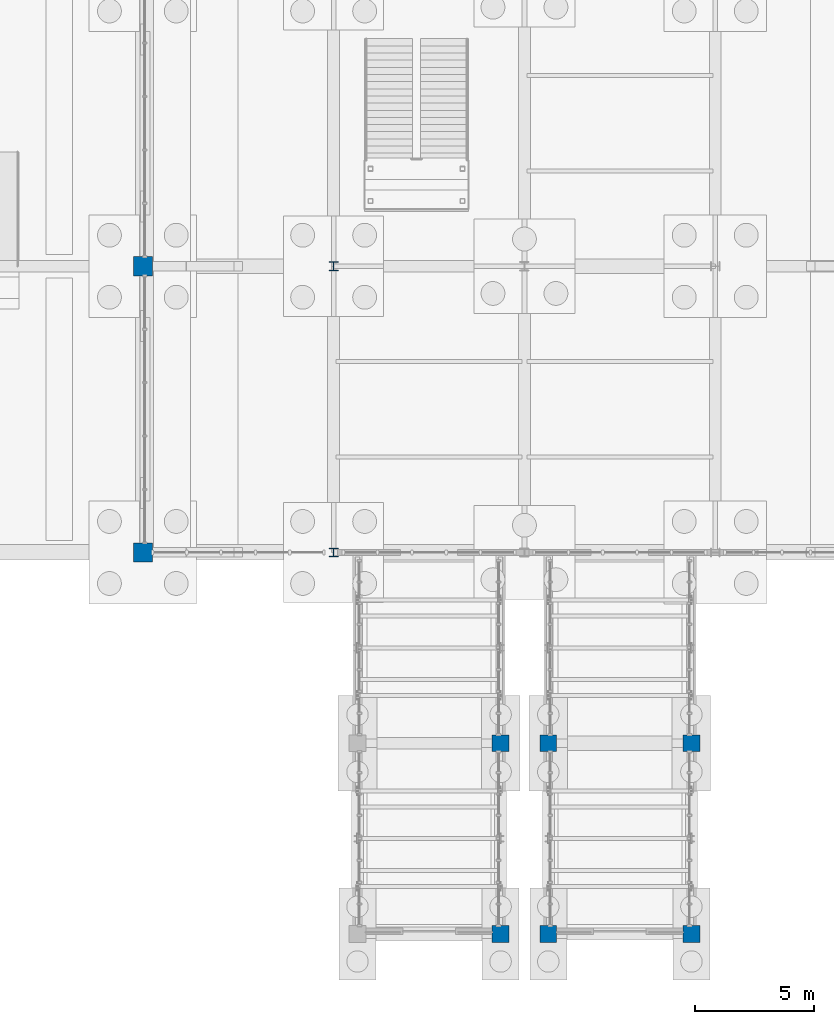
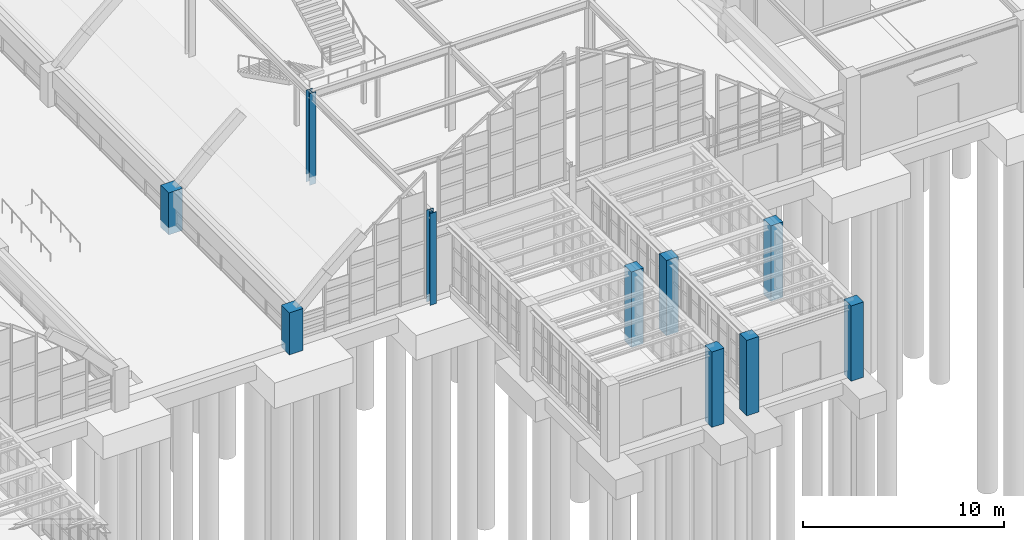
# One storey, part 13 of 129: 10 columns.
"""IFC4 building model written with IfcOpenShell, lengths in metres."""

import ifcopenshell
import ifcopenshell.guid

model = None  # the IFC model being written
_history = None  # IfcOwnerHistory: only IFC2X3 demands one
_inside = {}  # id of a spatial element -> (the spatial element, [elements in it])
_under = {}  # id of a project, library or spatial element -> (it, [spatial elements below it])
_declared = {}  # id of a project -> (the project, [libraries it declares])
_typed = {}  # id of a type object -> (the type object, [elements of that type])
_made_of = {}  # id of a material, layer set ... -> (it, [elements and type objects made of it])


def new_model(schema):
    """Start an empty IFC model of exactly this schema.

    Asked for "IFC4X3", IfcOpenShell would pick the latest addendum, in which some entities
    have other attributes; the version numbers below select the first issue.
    IFC2X3 requires an IfcOwnerHistory on every rooted entity: one is made here for all.
    """
    global model, _history
    if schema == "IFC4X3":
        model = ifcopenshell.file(schema_version=(4, 3, 0, 0))
    else:
        model = ifcopenshell.file(schema=schema)
    _inside.clear()
    _under.clear()
    _declared.clear()
    _typed.clear()
    _made_of.clear()
    _history = None
    if model.schema == "IFC2X3":
        org = make("IfcOrganization", Name="unknown")
        user = make(
            "IfcPersonAndOrganization",
            ThePerson=make("IfcPerson", FamilyName="unknown"),
            TheOrganization=org,
        )
        app = make(
            "IfcApplication",
            ApplicationDeveloper=org,
            Version="unknown",
            ApplicationFullName="unknown",
            ApplicationIdentifier="unknown",
        )
        _history = make(
            "IfcOwnerHistory",
            OwningUser=user,
            OwningApplication=app,
            ChangeAction="ADDED",
            CreationDate=0,
        )
    return model


def make(cls, **values):
    """One entity of the class cls with the attributes given. An attribute that is None is left unset."""
    return model.create_entity(
        cls, **{name: value for name, value in values.items() if value is not None}
    )


def rooted(cls, **values):
    """An entity with a GlobalId (a new one), such as an element, a storey or a relation."""
    return make(cls, GlobalId=ifcopenshell.guid.new(), OwnerHistory=_history, **values)


def si_unit(unit_type, name, prefix=None):
    """IfcSIUnit, for example si_unit("LENGTHUNIT", "METRE", prefix="MILLI")."""
    return make("IfcSIUnit", UnitType=unit_type, Prefix=prefix, Name=name)


def assignment(units):
    """IfcUnitAssignment: the units of a project."""
    return None if units is None else make("IfcUnitAssignment", Units=units)


def point(xyz):
    """IfcCartesianPoint."""
    return None if xyz is None else make("IfcCartesianPoint", Coordinates=xyz)


def direction(xyz):
    """IfcDirection."""
    return None if xyz is None else make("IfcDirection", DirectionRatios=xyz)


def frame(location, z_axis=None, x_axis=None):
    """IfcAxis2Placement3D, a coordinate frame: its origin and axes. An axis left out is left unset."""
    return make(
        "IfcAxis2Placement3D",
        Location=point(location),
        Axis=direction(z_axis),
        RefDirection=direction(x_axis),
    )


def frame_2d(location, x_axis=None):
    """IfcAxis2Placement2D, a coordinate frame in the plane: its origin and x axis."""
    return make(
        "IfcAxis2Placement2D", Location=point(location), RefDirection=direction(x_axis)
    )


def origin():
    """The frame at (0, 0, 0) with its axes left unset."""
    return frame((0.0, 0.0, 0.0))


def origin_2d():
    """The frame at (0, 0) in the plane with its x axis left unset."""
    return frame_2d((0.0, 0.0))


def place(relative_to, where):
    """IfcLocalPlacement: puts the frame where relative to a parent placement (None: the world)."""
    return make(
        "IfcLocalPlacement", PlacementRelTo=relative_to, RelativePlacement=where
    )


def context(
    kind, dimensions, precision=None, world=None, true_north=None, identifier=None
):
    """IfcGeometricRepresentationContext, for example the 3D "Model" context."""
    return make(
        "IfcGeometricRepresentationContext",
        ContextIdentifier=identifier,
        ContextType=kind,
        CoordinateSpaceDimension=dimensions,
        Precision=precision,
        WorldCoordinateSystem=world,
        TrueNorth=true_north,
    )


def subcontext(parent, identifier, kind, view, scale=None):
    """IfcGeometricRepresentationSubContext, for example "Body" below "Model"."""
    return make(
        "IfcGeometricRepresentationSubContext",
        ContextIdentifier=identifier,
        ContextType=kind,
        ParentContext=parent,
        TargetScale=scale,
        TargetView=view,
    )


def project(units=None, contexts=None):
    """IfcProject with its units and contexts."""
    return rooted(
        "IfcProject",
        Name="project",
        RepresentationContexts=contexts,
        UnitsInContext=assignment(units),
    )


def spatial(cls, under=None, at=None, **own):
    """A site, building, storey or space (cls), placed at a placement, below another one or the project."""
    s = rooted(cls, ObjectPlacement=at, **own)
    if under is not None:
        _under.setdefault(under.id(), (under, []))[1].append(s)
    return s


def profile(cls, at=None, kind="AREA", **sizes):
    """A parametric profile (cls). Its sizes go by their IFC names, for example OverallWidth=200.0."""
    return make(cls, ProfileType=kind, Position=at, **sizes)


def rectangle(**sizes):
    """IfcRectangleProfileDef."""
    return profile("IfcRectangleProfileDef", **sizes)


def i_section(**sizes):
    """IfcIShapeProfileDef."""
    return profile("IfcIShapeProfileDef", **sizes)


def extrude(swept, where, along, depth):
    """IfcExtrudedAreaSolid: the profile swept, set in the frame where, extruded along a direction by depth."""
    return make(
        "IfcExtrudedAreaSolid",
        SweptArea=swept,
        Position=where,
        ExtrudedDirection=direction(along),
        Depth=depth,
    )


def shape(context_of_items, identifier, shape_type, items):
    """IfcShapeRepresentation: the items that make up one representation, for example the "Body"."""
    return make(
        "IfcShapeRepresentation",
        ContextOfItems=context_of_items,
        RepresentationIdentifier=identifier,
        RepresentationType=shape_type,
        Items=items,
    )


def material(Name=None, Category=None):
    """IfcMaterial."""
    return make("IfcMaterial", Name=Name, Category=Category)


def material_profile(
    of_material, cross_section, Name=None, Category=None, Priority=None
):
    """IfcMaterialProfile: a cross section and its material."""
    return make(
        "IfcMaterialProfile",
        Name=Name,
        Material=of_material,
        Profile=cross_section,
        Priority=Priority,
        Category=Category,
    )


def profile_set(profiles, Name=None, composite=None):
    """IfcMaterialProfileSet."""
    return make(
        "IfcMaterialProfileSet",
        Name=Name,
        MaterialProfiles=profiles,
        CompositeProfile=composite,
    )


def made_of(thing, what):
    """Note that an element or type object is made of a material, layer set ...; save() writes the relation."""
    if what is not None:
        _made_of.setdefault(what.id(), (what, []))[1].append(thing)
    return thing


def type_object(cls, material=None, **own):
    """A type object (cls), such as IfcWallType, which elements share."""
    return made_of(rooted(cls, **own), material)


def element(
    cls,
    number,
    at=None,
    inside=None,
    cuts=None,
    type_object=None,
    material=None,
    context=None,
    identifier="Body",
    shape_type=None,
    held_by="IfcProductDefinitionShape",
    body=None,
    shapes=None,
    **own,
):
    """One element of the class cls, such as IfcWall. Its Tag is "e" and its number.

    at: its placement. inside: the storey or other place that contains it. cuts: it is an
    opening in that element (IfcRelVoidsElement). A single representation is given by context,
    identifier, shape_type and body (its items); several are given by shapes. held_by: the class
    of the entity that holds the representations. save() writes the other relations.
    """
    e = rooted(cls, Tag="e%d" % number, ObjectPlacement=at, **own)
    if body is not None:
        shapes = [shape(context, identifier, shape_type, body)]
    if shapes is not None:
        e.Representation = make(held_by, Representations=shapes)
    if inside is not None:
        _inside.setdefault(inside.id(), (inside, []))[1].append(e)
    if cuts is not None:
        rooted(
            "IfcRelVoidsElement", RelatingBuildingElement=cuts, RelatedOpeningElement=e
        )
    if type_object is not None:
        _typed.setdefault(type_object.id(), (type_object, []))[1].append(e)
    return made_of(e, material)


def aggregate(whole, parts):
    """IfcRelAggregates: a whole, such as a stair, and the parts it consists of."""
    return rooted("IfcRelAggregates", RelatingObject=whole, RelatedObjects=parts)


def save(model, path):
    """Write the relations noted so far, then the file.

    IfcRelAggregates (storeys below a building ...), IfcRelContainedInSpatialStructure (elements
    in a storey), IfcRelDefinesByType, IfcRelAssociatesMaterial and IfcRelDeclares: one each for
    every whole, place, type object, material and project.
    """
    for whole, parts in _under.values():
        aggregate(whole, parts)
    for where, things in _inside.values():
        rooted(
            "IfcRelContainedInSpatialStructure",
            RelatedElements=things,
            RelatingStructure=where,
        )
    for kind, things in _typed.values():
        rooted("IfcRelDefinesByType", RelatedObjects=things, RelatingType=kind)
    for what, things in _made_of.values():
        rooted("IfcRelAssociatesMaterial", RelatedObjects=things, RelatingMaterial=what)
    for by, libraries in _declared.values():
        rooted("IfcRelDeclares", RelatingContext=by, RelatedDefinitions=libraries)
    model.write(path)


model = new_model("IFC4")

# Units and contexts
model_context = context("Model", 3, precision=1e-05, world=origin(), true_north=direction((0.0, 1.0)))
body_context = subcontext(model_context, "Body", "Model", "MODEL_VIEW")
ifc_project = project(units=[si_unit("LENGTHUNIT", "METRE"), si_unit("AREAUNIT", "SQUARE_METRE"), si_unit("VOLUMEUNIT", "CUBIC_METRE"), si_unit("PLANEANGLEUNIT", "RADIAN"), si_unit("MASSUNIT", "GRAM", prefix="KILO")], contexts=[model_context])

# Site, building, storey
site_placement = place(None, origin())
site = spatial("IfcSite", under=ifc_project, at=site_placement, CompositionType="ELEMENT")
building_placement = place(site_placement, origin())
building = spatial("IfcBuilding", under=site, at=building_placement, Name="Sitalva Quay Ferry Terminal", CompositionType="ELEMENT")
storey_placement = place(building_placement, origin())
storey = spatial("IfcBuildingStorey", under=building, at=storey_placement, Name="L01", CompositionType="ELEMENT", Elevation=0.0)

# Columns
ifc_material_1 = material(Name="Concrete C35/45", Category="concrete")
ifc_material_profile_1 = material_profile(ifc_material_1, rectangle(XDim=0.699951171875, YDim=0.699951171875, at=origin_2d()), Name="RC700x700")
ifc_profile_set_1 = profile_set([ifc_material_profile_1], Name="Concrete C35/45")
column_type_1 = type_object("IfcColumnType", Name="Col_RC700x700", PredefinedType="COLUMN", material=ifc_profile_set_1)
for number, where, z_axis, x_axis, name in (
    (1, (57.0, -10.0, -0.449951171875), (0.0, 0.0, 1.0), (1.0, 0.0, 0.0), "L01 column X570A"),
    (2, (59.0, -10.0, -0.449951171875), (0.0, 0.0, 1.0), (1.0, 0.0, 0.0), "L01 column X590A"),
    (3, (65.0, -10.0, -0.449951171875), (0.0, 0.0, 1.0), (1.0, 0.0, 0.0), "L01 column X650A"),
    (4, (57.0, -2.0, -0.449951171875), (0.0, 0.0, 1.0), (1.0, 0.0, 0.0), "L01 column X570B"),
    (5, (59.0, -2.0, -0.449951171875), (0.0, 0.0, 1.0), (1.0, 0.0, 0.0), "L01 column X590B"),
    (6, (65.0, -2.0, -0.449951171875), (0.0, 0.0, 1.0), (1.0, 0.0, 0.0), "L01 column X650B"),
):
    element("IfcColumn", number, at=place(storey_placement, frame(where, z_axis=z_axis, x_axis=x_axis)), inside=storey, type_object=column_type_1, Name=name, PredefinedType="COLUMN", context=body_context, shape_type="SweptSolid", body=[
        extrude(rectangle(XDim=0.699951171875, YDim=0.699951171875, at=origin_2d()), origin(), (0.0, 0.0, 1.0), 4.579833984375),
    ])
ifc_material_2 = material(Name="Concrete C40/50", Category="concrete")
ifc_material_profile_2 = material_profile(ifc_material_2, rectangle(XDim=0.800048828125, YDim=0.800048828125, at=origin_2d()), Name="RC800x800")
ifc_profile_set_2 = profile_set([ifc_material_profile_2], Name="Concrete C40/50")
column_type_2 = type_object("IfcColumnType", Name="Col_RC800x800", PredefinedType="COLUMN", material=ifc_profile_set_2)
for number, where, z_axis, x_axis, name in (
    (7, (42.0, 6.0, -0.449951171875), (0.0, 0.0, 1.0), (1.0, 0.0, 0.0), "L01 column 6C"),
    (8, (42.0, 18.0, -0.449951171875), (0.0, 0.0, 1.0), (1.0, 0.0, 0.0), "L01 column 6D"),
):
    element("IfcColumn", number, at=place(storey_placement, frame(where, z_axis=z_axis, x_axis=x_axis)), inside=storey, type_object=column_type_2, Name=name, PredefinedType="COLUMN", context=body_context, shape_type="SweptSolid", body=[
        extrude(rectangle(XDim=0.800048828125, YDim=0.800048828125, at=origin_2d()), origin(), (0.0, 0.0, 1.0), 2.550048828125),
    ])
ifc_material_3 = material(Name="Structural Steel S355JR", Category="steel")
ifc_material_profile_3 = material_profile(ifc_material_3, i_section(OverallWidth=0.3740234375, OverallDepth=0.3720703125, WebThickness=0.016357421875, FlangeThickness=0.026123046875, FilletRadius=0.01611328125, at=origin_2d()), Name="W360x196")
ifc_profile_set_3 = profile_set([ifc_material_profile_3], Name="Structural Steel S355JR")
column_type_3 = type_object("IfcColumnType", Name="Col_W360x196", PredefinedType="COLUMN", material=ifc_profile_set_3)
for number, where, z_axis, x_axis, name in (
    (9, (50.0, 6.0, -0.449951171875), (0.0, 0.0, 1.0), (1.0, 0.0, 0.0), "L01 column 7C"),
    (10, (50.0, 18.0, -0.449951171875), (0.0, 0.0, 1.0), (1.0, 0.0, 0.0), "L01 column 7D"),
):
    element("IfcColumn", number, at=place(storey_placement, frame(where, z_axis=z_axis, x_axis=x_axis)), inside=storey, type_object=column_type_3, Name=name, PredefinedType="COLUMN", context=body_context, shape_type="SweptSolid", body=[
        extrude(i_section(OverallWidth=0.3740234375, OverallDepth=0.3720703125, WebThickness=0.016357421875, FlangeThickness=0.026123046875, FilletRadius=0.01611328125, at=origin_2d()), origin(), (0.0, 0.0, 1.0), 5.570068359375),
    ])

save(model, "model.ifc")
